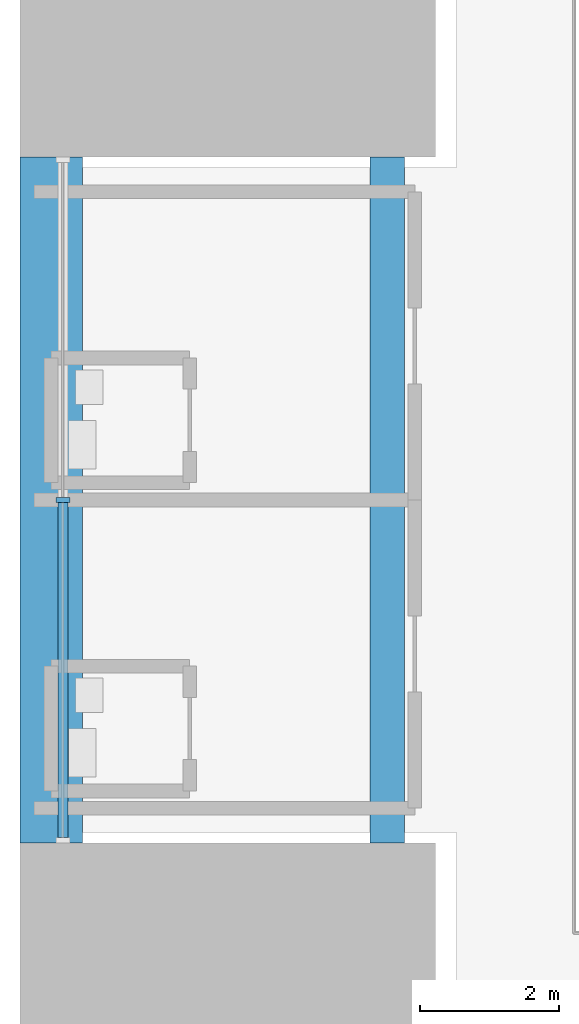
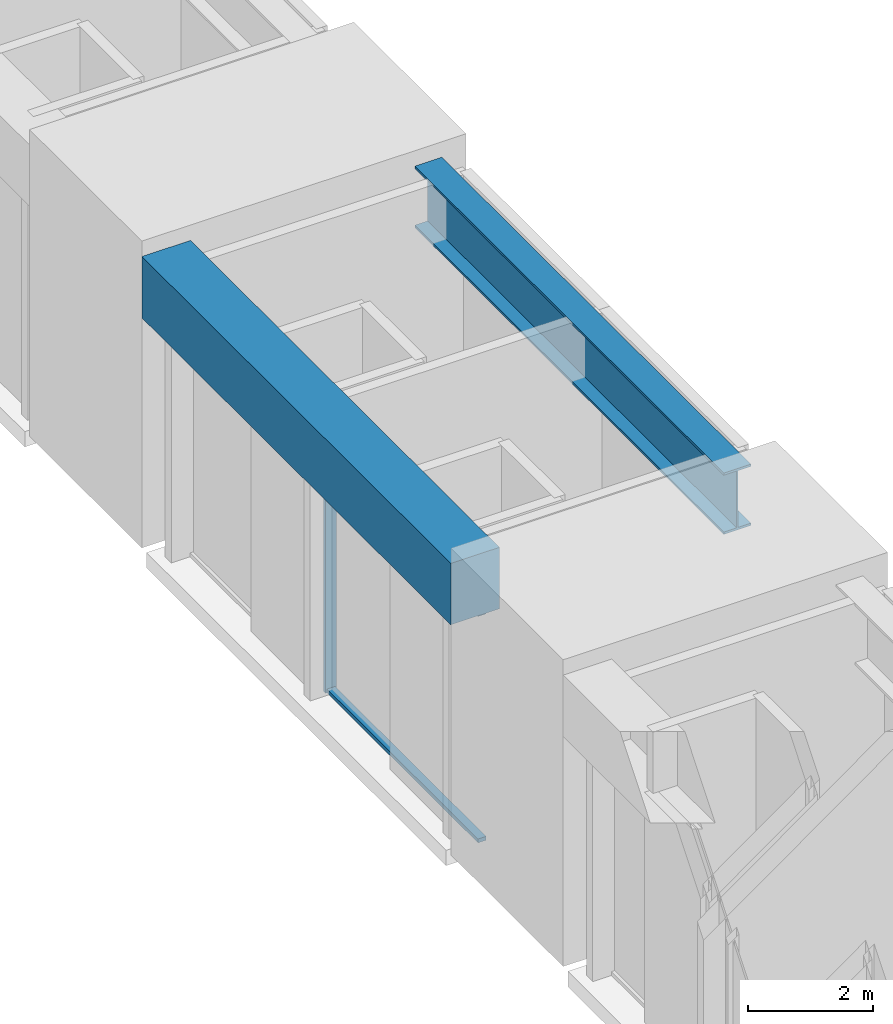
# One storey, part 3 of 43: 3 members, 2 beams, 1 element without a shape of its own.
"""IFC4 building model written with IfcOpenShell, lengths in metres."""

from ifc_helpers import new_model, si_unit, direction, frame, origin, origin_2d, place, context, subcontext, project, spatial, rectangle, i_section, extrude, material, layer, layer_set, material_profile, profile_set, type_object, element, aggregate, save


model = new_model("IFC4")

# Units and contexts
model_context = context("Model", 3, precision=1e-05, world=origin(), true_north=direction((0.0, 1.0)))
body_context = subcontext(model_context, "Body", "Model", "MODEL_VIEW")
ifc_project = project(units=[si_unit("LENGTHUNIT", "METRE"), si_unit("AREAUNIT", "SQUARE_METRE"), si_unit("VOLUMEUNIT", "CUBIC_METRE"), si_unit("PLANEANGLEUNIT", "RADIAN"), si_unit("MASSUNIT", "GRAM", prefix="KILO")], contexts=[model_context])

# Site, building, storey
site_placement = place(None, origin())
site = spatial("IfcSite", under=ifc_project, at=site_placement, CompositionType="ELEMENT")
building_placement = place(site_placement, origin())
building = spatial("IfcBuilding", under=site, at=building_placement, Name="Corbelhall Arena Tower", CompositionType="ELEMENT")
storey_placement = place(building_placement, frame((0.0, 0.0, 25.0)))
storey = spatial("IfcBuildingStorey", under=building, at=storey_placement, Name="L03", CompositionType="ELEMENT", Elevation=25.0)

# Curtain wall, members
ifc_material_1 = material(Name="Aluminium black anodised", Category="aluminium")
ifc_layer = layer(ifc_material_1, 0.239990234375)
ifc_layer_set = layer_set([ifc_layer], Name="EV-CW4 Arena concourse glazing")
curtain_wall_type = type_object("IfcCurtainWallType", Name="EV-CW4 Arena concourse glazing", PredefinedType="NOTDEFINED", material=ifc_layer_set)
curtain_wall_placement = place(storey_placement, origin())
curtain_wall = element("IfcCurtainWall", 1, at=curtain_wall_placement, inside=storey, type_object=curtain_wall_type, Name="Curtain wall CW4", PredefinedType="NOTDEFINED")
ifc_material_profile_1 = material_profile(ifc_material_1, rectangle(XDim=0.199951171875, YDim=0.074951171875, at=origin_2d()))
ifc_profile_set_1 = profile_set([ifc_material_profile_1], Name="Aluminium black anodised")
member_type_1 = type_object("IfcMemberType", Name="EV-CW4-MULLION", PredefinedType="MULLION", material=ifc_profile_set_1)
member_1_placement = place(storey_placement, frame((-47.3798828125, -6.75, 0.0), z_axis=(0.0, 0.0, 1.0), x_axis=(1.0, 0.0, 0.0)))
member_1 = element("IfcMember", 2, at=member_1_placement, type_object=member_type_1, Name="CW4 mullion 2", PredefinedType="MULLION", context=body_context, shape_type="SweptSolid", body=[
    extrude(rectangle(XDim=0.199951171875, YDim=0.074951171875, at=origin_2d()), origin(), (0.0, 0.0, 1.0), 4.5),
])
ifc_material_profile_2 = material_profile(ifc_material_1, rectangle(XDim=0.14990234375, YDim=0.074951171875, at=origin_2d()))
ifc_profile_set_2 = profile_set([ifc_material_profile_2], Name="Aluminium black anodised")
member_type_2 = type_object("IfcMemberType", Name="EV-CW4-TRANSOM", PredefinedType="USERDEFINED", material=ifc_profile_set_2)
member_2_placement = place(storey_placement, frame((-47.3798828125, -6.78759765625, 0.03759765625), z_axis=(0.0, -1.0, 0.0), x_axis=(1.0, 0.0, 0.0)))
member_2 = element("IfcMember", 3, at=member_2_placement, type_object=member_type_2, Name="CW4 transom 2.1", ObjectType="transom", PredefinedType="USERDEFINED", context=body_context, shape_type="SweptSolid", body=[
    extrude(rectangle(XDim=0.14990234375, YDim=0.074951171875, at=origin_2d()), origin(), (0.0, 0.0, 1.0), 4.83740234375),
])
member_3_placement = place(storey_placement, frame((-47.3798828125, -6.78759765625, 4.46240234375), z_axis=(0.0, -1.0, 0.0), x_axis=(1.0, 0.0, 0.0)))
member_3 = element("IfcMember", 4, at=member_3_placement, type_object=member_type_2, Name="CW4 transom 2.2", ObjectType="transom", PredefinedType="USERDEFINED", context=body_context, shape_type="SweptSolid", body=[
    extrude(rectangle(XDim=0.14990234375, YDim=0.074951171875, at=origin_2d()), origin(), (0.0, 0.0, 1.0), 4.83740234375),
])
aggregate(curtain_wall, [member_1, member_2, member_3])

# Beams
ifc_material_2 = material(Name="Steel ASTM A572 Gr50", Category="steel")
ifc_material_profile_3 = material_profile(ifc_material_2, i_section(OverallWidth=0.5, OverallDepth=1.199951171875, WebThickness=0.02490234375, FlangeThickness=0.044921875, at=origin_2d()))
ifc_profile_set_3 = profile_set([ifc_material_profile_3], Name="Steel ASTM A572 Gr50")
beam_type_1 = type_object("IfcBeamType", Name="PO-GIRDER-PG1200X500X25X45", PredefinedType="BEAM", material=ifc_profile_set_3)
beam_1_placement = place(storey_placement, frame((-42.699951171875, -11.699951171875, 5.10009765625), z_axis=(0.0, 1.0, 0.0), x_axis=(-1.0, 0.0, 0.0)))
element("IfcBeam", 5, at=beam_1_placement, inside=storey, type_object=beam_type_1, Name="INNER END GIRDER", PredefinedType="BEAM", context=body_context, shape_type="SweptSolid", body=[
    extrude(i_section(OverallWidth=0.5, OverallDepth=1.199951171875, WebThickness=0.02490234375, FlangeThickness=0.044921875, at=origin_2d()), origin(), (0.0, 0.0, 1.0), 9.89990234375),
])
ifc_material_3 = material(Name="Concrete C80/95", Category="concrete")
ifc_material_profile_4 = material_profile(ifc_material_3, rectangle(XDim=0.89990234375, YDim=1.199951171875, at=origin_2d()))
ifc_profile_set_4 = profile_set([ifc_material_profile_4], Name="Concrete C80/95")
beam_type_2 = type_object("IfcBeamType", Name="PO-RING-BEAM", PredefinedType="BEAM", material=ifc_profile_set_4)
beam_2_placement = place(storey_placement, frame((-47.550048828125, -11.699951171875, 5.10009765625), z_axis=(0.0, 1.0, 0.0), x_axis=(-1.0, 0.0, 0.0)))
element("IfcBeam", 6, at=beam_2_placement, inside=storey, type_object=beam_type_2, Name="RING GIRDER L04 W2", PredefinedType="BEAM", context=body_context, shape_type="SweptSolid", body=[
    extrude(rectangle(XDim=0.89990234375, YDim=1.199951171875, at=origin_2d()), origin(), (0.0, 0.0, 1.0), 9.89990234375),
])

save(model, "model.ifc")
